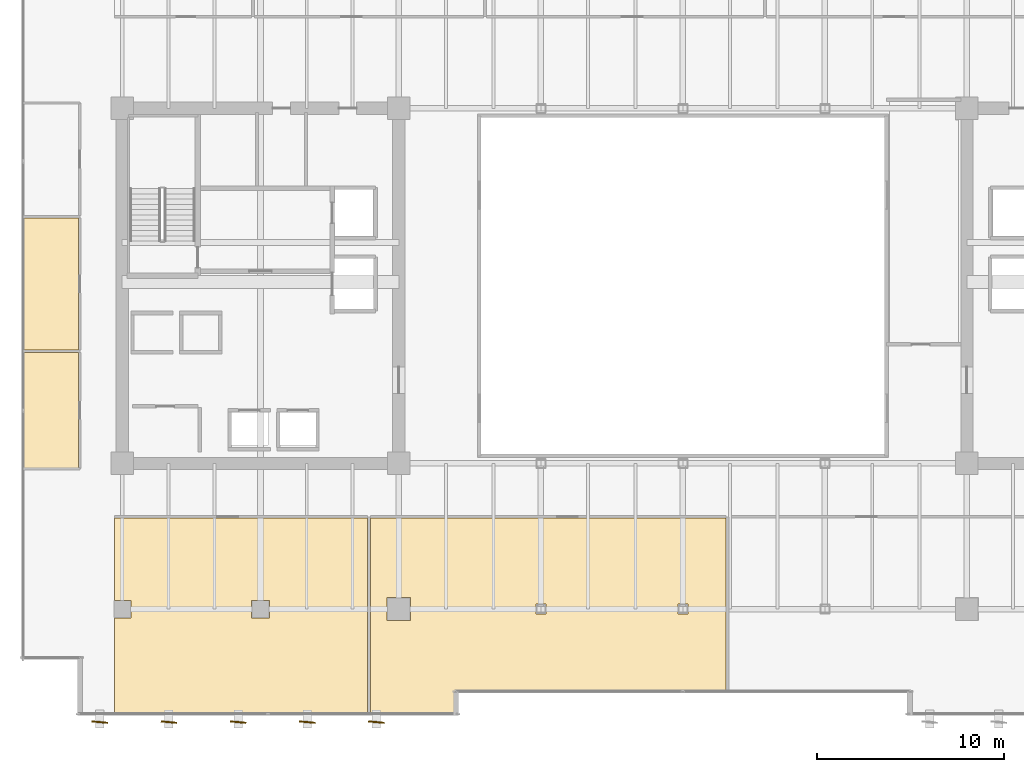
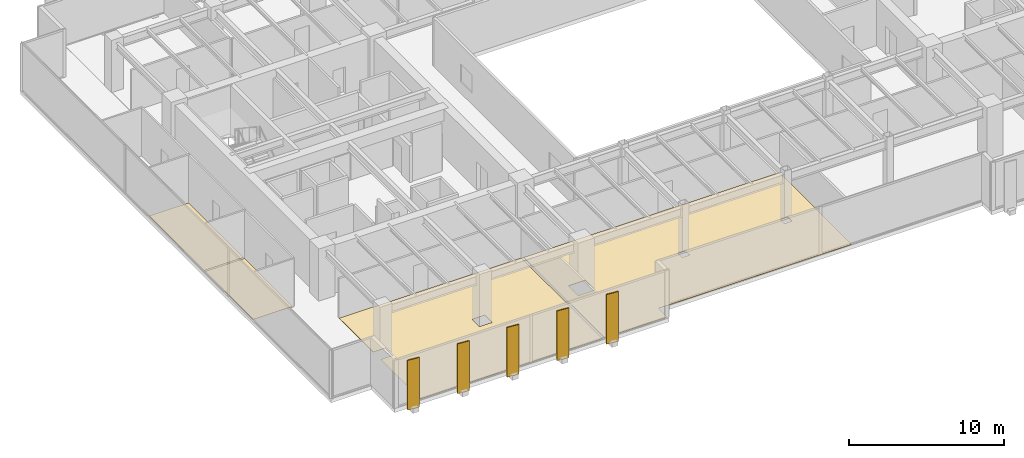
# One storey, part 30 of 34: 5 shading devices, 4 coverings.
"""IFC4 building model written with IfcOpenShell, lengths in metres."""

from ifc_helpers import new_model, si_unit, direction, frame, origin, origin_2d, place, context, subcontext, project, spatial, polyline, rectangle, outline, extrude, source, transform, mapped, material, layer, layer_set, material_profile, profile_set, type_object, type_shapes, element, save


model = new_model("IFC4")

# Units and contexts
model_context = context("Model", 3, precision=1e-05, world=origin(), true_north=direction((0.0, 1.0)))
body_context = subcontext(model_context, "Body", "Model", "MODEL_VIEW")
ifc_project = project(units=[si_unit("LENGTHUNIT", "METRE"), si_unit("AREAUNIT", "SQUARE_METRE"), si_unit("VOLUMEUNIT", "CUBIC_METRE"), si_unit("PLANEANGLEUNIT", "RADIAN"), si_unit("MASSUNIT", "GRAM", prefix="KILO")], contexts=[model_context])

# Site, building, storey
site_placement = place(None, origin())
site = spatial("IfcSite", under=ifc_project, at=site_placement, CompositionType="ELEMENT")
building_placement = place(site_placement, origin())
building = spatial("IfcBuilding", under=site, at=building_placement, Name="Haelvirn Gate Laboratories", CompositionType="ELEMENT")
storey_placement = place(building_placement, frame((0.0, 0.0, 109.199951171875)))
storey = spatial("IfcBuildingStorey", under=building, at=storey_placement, Name="L26", CompositionType="ELEMENT", Elevation=109.199951171875)

# Coverings
ifc_material_1 = material(Name="Seamless chemical-resistant epoxy laboratory flooring")
ifc_layer = layer(ifc_material_1, 0.01806640625, Name="COV-FLR-RESIN")
ifc_layer_set = layer_set([ifc_layer], Name="Seamless chemical-resistant epoxy laboratory flooring")
covering_type = type_object("IfcCoveringType", Name="COV-FLR-RESIN", PredefinedType="FLOORING", material=ifc_layer_set)
covering_1_placement = place(storey_placement, origin())
element("IfcCovering", 1, at=covering_1_placement, inside=storey, type_object=covering_type, Name="L26 Seamless Laboratory Flooring FLR-SP-L26-S-01", PredefinedType="FLOORING", context=body_context, shape_type="SweptSolid", body=[
    extrude(outline(polyline([(20.52001953125, 1.409912109375), (6.97998046875, 1.409912109375), (6.97998046875, 6.530029296875), (7.8701171875, 6.530029296875), (7.8701171875, 7.469970703125), (6.97998046875, 7.469970703125), (6.97998046875, 11.8701171875), (20.52001953125, 11.8701171875), (20.52001953125, 1.409912109375)]), holes=[polyline([(14.330078125, 6.530029296875), (15.27001953125, 6.530029296875), (15.27001953125, 7.469970703125), (14.330078125, 7.469970703125), (14.330078125, 6.530029296875)])]), origin(), (0.0, 0.0, 1.0), 0.01806640625),
])
covering_2_placement = place(storey_placement, origin())
element("IfcCovering", 2, at=covering_2_placement, inside=storey, type_object=covering_type, Name="L26 Seamless Laboratory Flooring FLR-SP-L26-S-02", PredefinedType="FLOORING", context=body_context, shape_type="SweptSolid", body=[
    extrude(outline(polyline([(25.39990234375, 2.5400390625), (25.39599609375, 2.539794921875), (25.39208984375, 2.539306640625), (25.388427734375, 2.538330078125), (25.384765625, 2.537109375), (25.381103515625, 2.535400390625), (25.377685546875, 2.533203125), (25.37451171875, 2.531005859375), (25.37158203125, 2.5283203125), (25.369140625, 2.525390625), (25.36669921875, 2.522216796875), (25.36474609375, 2.518798828125), (25.363037109375, 2.515380859375), (25.36181640625, 2.51171875), (25.36083984375, 2.5078125), (25.360107421875, 2.50390625), (25.360107421875, 2.5), (25.360107421875, 1.409912109375), (20.679931640625, 1.409912109375), (20.679931640625, 11.8701171875), (39.719970703125, 11.8701171875), (39.719970703125, 2.5400390625), (25.39990234375, 2.5400390625)]), holes=[polyline([(22.820068359375, 6.3798828125), (22.820068359375, 7.6201171875), (21.580078125, 7.6201171875), (21.580078125, 6.3798828125), (22.820068359375, 6.3798828125)]), polyline([(29.530029296875, 6.72998046875), (30.070068359375, 6.72998046875), (30.070068359375, 7.27001953125), (29.530029296875, 7.27001953125), (29.530029296875, 6.72998046875)]), polyline([(37.1298828125, 7.27001953125), (37.1298828125, 6.72998046875), (37.669921875, 6.72998046875), (37.669921875, 7.27001953125), (37.1298828125, 7.27001953125)])]), origin(), (0.0, 0.0, 1.0), 0.01806640625),
])
covering_3_placement = place(storey_placement, origin())
element("IfcCovering", 3, at=covering_3_placement, inside=storey, type_object=covering_type, Name="L26 Seamless Laboratory Flooring FLR-SP-L26-WCELL-01", PredefinedType="FLOORING", context=body_context, shape_type="SweptSolid", body=[
    extrude(outline(polyline([(2.110107421875, 20.739990234375), (5.06005859375, 20.739990234375), (5.06005859375, 14.514892578125), (2.110107421875, 14.514892578125), (2.110107421875, 20.739990234375)])), origin(), (0.0, 0.0, 1.0), 0.01806640625),
])
covering_4_placement = place(storey_placement, origin())
element("IfcCovering", 4, at=covering_4_placement, inside=storey, type_object=covering_type, Name="L26 Seamless Laboratory Flooring FLR-SP-L26-WCELL-02", PredefinedType="FLOORING", context=body_context, shape_type="SweptSolid", body=[
    extrude(outline(polyline([(2.110107421875, 27.93994140625), (5.06005859375, 27.93994140625), (5.06005859375, 20.860107421875), (2.110107421875, 20.860107421875), (2.110107421875, 27.93994140625)])), origin(), (0.0, 0.0, 1.0), 0.01806640625),
])

# Shading devices
ifc_material_2 = material(Name="Extruded aluminium 6063-T6 (anodised bronze)", Category="aluminium")
ifc_material_profile = material_profile(ifc_material_2, rectangle(XDim=0.074951171875, YDim=0.85009765625, at=origin_2d()), Name="FIN-850x75")
ifc_profile_set = profile_set([ifc_material_profile], Name="Extruded aluminium 6063-T6 (anodised bronze)")
shading_device_type = type_object("IfcShadingDeviceType", Name="SHD-FIN-850", PredefinedType="USERDEFINED", material=ifc_profile_set)
shared_shape = source(origin(), body_context, "Body", "SweptSolid", [
    extrude(rectangle(XDim=0.074951171875, YDim=0.85009765625, at=origin_2d()), origin(), (0.0, 0.0, 1.0), 3.909912109375),
])
type_shapes(shading_device_type, [shared_shape])
for number, where, z_axis, x_axis, name in (
    (5, (6.199951171875, 0.955078125, -0.179931640625), (0.0, 0.0, 1.0), (0.090632580198, 0.995884398616, 0.0), "L26 Fluted Bronze Vertical Fin S01"),
    (6, (9.89990234375, 0.955078125, -0.179931640625), (0.0, 0.0, 1.0), (0.090632580198, 0.995884398616, 0.0), "L26 Fluted Bronze Vertical Fin S02"),
    (7, (13.60009765625, 0.955078125, -0.179931640625), (0.0, 0.0, 1.0), (0.090632580198, 0.995884398616, 0.0), "L26 Fluted Bronze Vertical Fin S03"),
    (8, (17.300048828125, 0.955078125, -0.179931640625), (0.0, 0.0, 1.0), (0.090632580198, 0.995884398616, 0.0), "L26 Fluted Bronze Vertical Fin S04"),
    (9, (21.0, 0.955078125, -0.179931640625), (0.0, 0.0, 1.0), (0.090632580198, 0.995884398616, 0.0), "L26 Fluted Bronze Vertical Fin S05"),
):
    element("IfcShadingDevice", number, at=place(storey_placement, frame(where, z_axis=z_axis, x_axis=x_axis)), inside=storey, type_object=shading_device_type, Name=name, ObjectType="FIN", PredefinedType="USERDEFINED", context=body_context, shape_type="MappedRepresentation", body=[
        mapped(shared_shape, transform((0.0, 0.0, 0.0), scale=1.0)),
    ])

save(model, "model.ifc")
